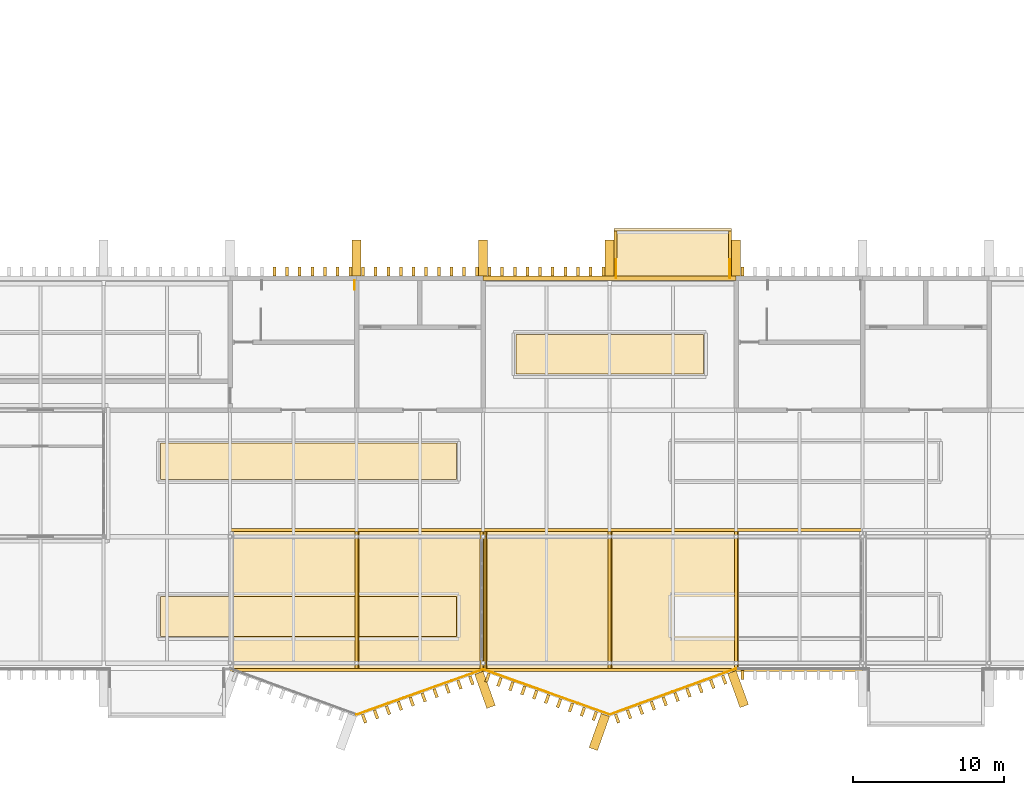
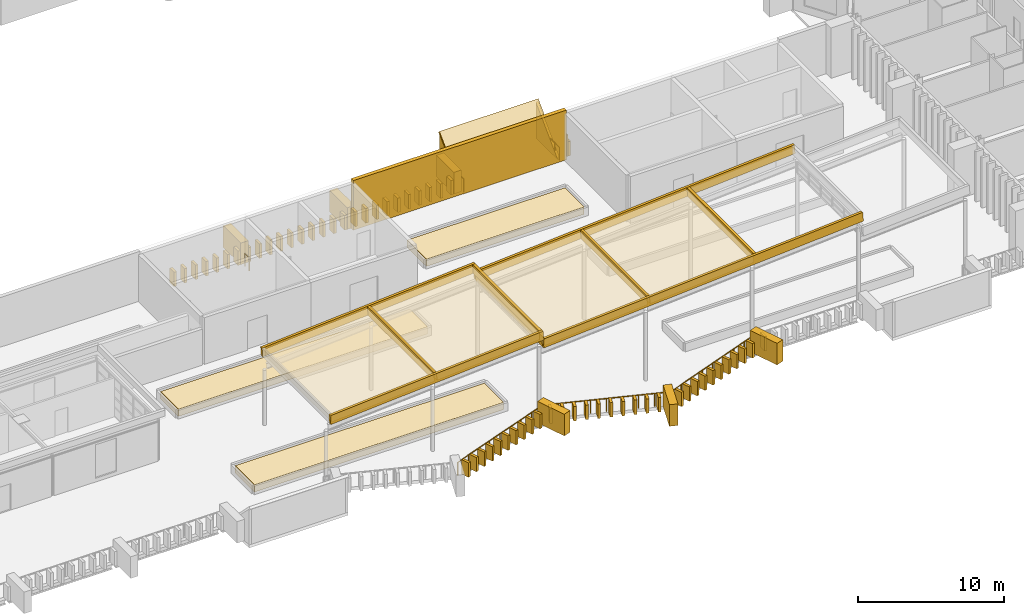
# One storey, part 47 of 51: 86 coverings, 6 railings.
"""IFC4 building model written with IfcOpenShell, lengths in metres."""

from ifc_helpers import new_model, si_unit, direction, frame, origin, origin_2d, place, context, subcontext, project, spatial, polyline, rectangle, circle, outline, extrude, material, layer, layer_set, type_object, element, save


model = new_model("IFC4")

# Units and contexts
model_context = context("Model", 3, precision=1e-05, world=origin(), true_north=direction((0.0, 1.0)))
body_context = subcontext(model_context, "Body", "Model", "MODEL_VIEW")
ifc_project = project(units=[si_unit("LENGTHUNIT", "METRE"), si_unit("AREAUNIT", "SQUARE_METRE"), si_unit("VOLUMEUNIT", "CUBIC_METRE"), si_unit("PLANEANGLEUNIT", "RADIAN"), si_unit("MASSUNIT", "GRAM", prefix="KILO")], contexts=[model_context])

# Site, building, storey
site_placement = place(None, origin())
site = spatial("IfcSite", under=ifc_project, at=site_placement, CompositionType="ELEMENT")
building_placement = place(site_placement, origin())
building = spatial("IfcBuilding", under=site, at=building_placement, Name="Cresset Court Congress Hotel", CompositionType="ELEMENT")
storey_placement = place(building_placement, frame((0.0, 0.0, 18.60009765625)))
storey = spatial("IfcBuildingStorey", under=building, at=storey_placement, Name="L04", CompositionType="ELEMENT", Elevation=18.60009765625)

# Railings
ifc_material_1 = material(Name="Steel and laminated glass", Category="steel")
railing_type_1 = type_object("IfcRailingType", Name="Guard 1100 steel and glass", PredefinedType="GUARDRAIL", material=ifc_material_1)
railing_1_placement = place(storey_placement, frame((109.050048828125, 24.800048828125, 0.0)))
element("IfcRailing", 1, at=railing_1_placement, inside=storey, type_object=railing_type_1, Name="Roof stair well guard 7", PredefinedType="GUARDRAIL", context=body_context, shape_type="SweptSolid", body=[
    extrude(circle(Radius=0.02392578125, at=origin_2d()), frame((0.0, 0.0, 1.076171875), z_axis=(0.0, 1.0, 0.0), x_axis=(-1.0, 0.0, 0.0)), (0.0, 0.0, 1.0), 0.599853515625),
    extrude(circle(Radius=0.02099609375, at=origin_2d()), origin(), (0.0, 0.0, 1.0), 1.052001953125),
    extrude(circle(Radius=0.02099609375, at=origin_2d()), frame((0.0, 0.599853515625, 0.0)), (0.0, 0.0, 1.0), 1.052001953125),
])
ifc_material_2 = material(Name="Steel and laminated glass", Category="steel")
railing_type_2 = type_object("IfcRailingType", Name="Guard 1100 steel and glass external", PredefinedType="GUARDRAIL", material=ifc_material_2)
railing_2_placement = place(storey_placement, frame((134.37890625, -0.3798828125, 0.0)))
element("IfcRailing", 2, at=railing_2_placement, inside=storey, type_object=railing_type_2, Name="Roof garden guard 3", PredefinedType="GUARDRAIL", context=body_context, shape_type="SweptSolid", body=[
    extrude(circle(Radius=0.02392578125, at=origin_2d()), frame((0.0, 0.0, 1.076171875), z_axis=(-0.939954842809, -0.341298833107, 0.0), x_axis=(0.341298833107, -0.939954842809, 0.0)), (0.0, 0.0, 1.0), 8.914306640625),
    extrude(circle(Radius=0.02099609375, at=origin_2d()), origin(), (0.0, 0.0, 1.0), 1.052001953125),
    extrude(circle(Radius=0.02099609375, at=origin_2d()), frame((-1.04736328125, -0.38037109375, 0.0)), (0.0, 0.0, 1.0), 1.052001953125),
    extrude(circle(Radius=0.02099609375, at=origin_2d()), frame((-2.0947265625, -0.7607421875, 0.0)), (0.0, 0.0, 1.0), 1.052001953125),
    extrude(circle(Radius=0.02099609375, at=origin_2d()), frame((-3.14208984375, -1.140869140625, 0.0)), (0.0, 0.0, 1.0), 1.052001953125),
    extrude(circle(Radius=0.02099609375, at=origin_2d()), frame((-4.189453125, -1.521240234375, 0.0)), (0.0, 0.0, 1.0), 1.052001953125),
    extrude(circle(Radius=0.02099609375, at=origin_2d()), frame((-5.237060546875, -1.901611328125, 0.0)), (0.0, 0.0, 1.0), 1.052001953125),
    extrude(circle(Radius=0.02099609375, at=origin_2d()), frame((-6.284423828125, -2.28173828125, 0.0)), (0.0, 0.0, 1.0), 1.052001953125),
    extrude(circle(Radius=0.02099609375, at=origin_2d()), frame((-7.331787109375, -2.662109375, 0.0)), (0.0, 0.0, 1.0), 1.052001953125),
    extrude(circle(Radius=0.02099609375, at=origin_2d()), frame((-8.379150390625, -3.04248046875, 0.0)), (0.0, 0.0, 1.0), 1.052001953125),
])
railing_3_placement = place(storey_placement, frame((125.999755859375, -3.42236328125, 0.0)))
element("IfcRailing", 3, at=railing_3_placement, inside=storey, type_object=railing_type_2, Name="Roof garden guard 4", PredefinedType="GUARDRAIL", context=body_context, shape_type="SweptSolid", body=[
    extrude(circle(Radius=0.02392578125, at=origin_2d()), frame((0.0, 0.0, 1.076171875), z_axis=(-0.941746246507, 0.336324258998, 0.0), x_axis=(-0.336324258998, -0.941746246507, 0.0)), (0.0, 0.0, 1.0), 8.919189453125),
    extrude(circle(Radius=0.02099609375, at=origin_2d()), origin(), (0.0, 0.0, 1.0), 1.052001953125),
    extrude(circle(Radius=0.02099609375, at=origin_2d()), frame((-1.050048828125, 0.375, 0.0)), (0.0, 0.0, 1.0), 1.052001953125),
    extrude(circle(Radius=0.02099609375, at=origin_2d()), frame((-2.099853515625, 0.75, 0.0)), (0.0, 0.0, 1.0), 1.052001953125),
    extrude(circle(Radius=0.02099609375, at=origin_2d()), frame((-3.14990234375, 1.125, 0.0)), (0.0, 0.0, 1.0), 1.052001953125),
    extrude(circle(Radius=0.02099609375, at=origin_2d()), frame((-4.19970703125, 1.5, 0.0)), (0.0, 0.0, 1.0), 1.052001953125),
    extrude(circle(Radius=0.02099609375, at=origin_2d()), frame((-5.249755859375, 1.874755859375, 0.0)), (0.0, 0.0, 1.0), 1.052001953125),
    extrude(circle(Radius=0.02099609375, at=origin_2d()), frame((-6.2998046875, 2.249755859375, 0.0)), (0.0, 0.0, 1.0), 1.052001953125),
    extrude(circle(Radius=0.02099609375, at=origin_2d()), frame((-7.349609375, 2.624755859375, 0.0)), (0.0, 0.0, 1.0), 1.052001953125),
    extrude(circle(Radius=0.02099609375, at=origin_2d()), frame((-8.399658203125, 2.999755859375, 0.0)), (0.0, 0.0, 1.0), 1.052001953125),
])
railing_4_placement = place(storey_placement, frame((117.60009765625, -0.422607421875, 0.0)))
element("IfcRailing", 4, at=railing_4_placement, inside=storey, type_object=railing_type_2, Name="Roof garden guard 5", PredefinedType="GUARDRAIL", context=body_context, shape_type="SweptSolid", body=[
    extrude(circle(Radius=0.02392578125, at=origin_2d()), frame((0.0, 0.0, 1.076171875), z_axis=(-0.941746246507, -0.336324258998, 0.0), x_axis=(0.336324258998, -0.941746246507, 0.0)), (0.0, 0.0, 1.0), 8.919189453125),
    extrude(circle(Radius=0.02099609375, at=origin_2d()), origin(), (0.0, 0.0, 1.0), 1.052001953125),
    extrude(circle(Radius=0.02099609375, at=origin_2d()), frame((-1.050048828125, -0.375, 0.0)), (0.0, 0.0, 1.0), 1.052001953125),
    extrude(circle(Radius=0.02099609375, at=origin_2d()), frame((-2.099853515625, -0.75, 0.0)), (0.0, 0.0, 1.0), 1.052001953125),
    extrude(circle(Radius=0.02099609375, at=origin_2d()), frame((-3.14990234375, -1.125, 0.0)), (0.0, 0.0, 1.0), 1.052001953125),
    extrude(circle(Radius=0.02099609375, at=origin_2d()), frame((-4.19970703125, -1.5, 0.0)), (0.0, 0.0, 1.0), 1.052001953125),
    extrude(circle(Radius=0.02099609375, at=origin_2d()), frame((-5.249755859375, -1.874755859375, 0.0)), (0.0, 0.0, 1.0), 1.052001953125),
    extrude(circle(Radius=0.02099609375, at=origin_2d()), frame((-6.2998046875, -2.249755859375, 0.0)), (0.0, 0.0, 1.0), 1.052001953125),
    extrude(circle(Radius=0.02099609375, at=origin_2d()), frame((-7.349609375, -2.624755859375, 0.0)), (0.0, 0.0, 1.0), 1.052001953125),
    extrude(circle(Radius=0.02099609375, at=origin_2d()), frame((-8.399658203125, -2.999755859375, 0.0)), (0.0, 0.0, 1.0), 1.052001953125),
])
for number, where, name in (
    (5, (126.419921875, 25.580078125, 0.0), "Roof garden guard 23"),
    (6, (133.97998046875, 25.580078125, 0.0), "Roof garden guard 24"),
):
    element("IfcRailing", number, at=place(storey_placement, frame(where)), inside=storey, type_object=railing_type_2, Name=name, PredefinedType="GUARDRAIL", context=body_context, shape_type="SweptSolid", body=[
        extrude(circle(Radius=0.02392578125, at=origin_2d()), frame((0.0, 0.0, 1.076171875), z_axis=(0.0, 1.0, 0.0), x_axis=(-1.0, 0.0, 0.0)), (0.0, 0.0, 1.0), 1.219970703125),
        extrude(circle(Radius=0.02099609375, at=origin_2d()), origin(), (0.0, 0.0, 1.0), 1.052001953125),
        extrude(circle(Radius=0.02099609375, at=origin_2d()), frame((0.0, 0.60986328125, 0.0)), (0.0, 0.0, 1.0), 1.052001953125),
        extrude(circle(Radius=0.02099609375, at=origin_2d()), frame((0.0, 1.219970703125, 0.0)), (0.0, 0.0, 1.0), 1.052001953125),
    ])

# Coverings
ifc_material_3 = material(Name="Concrete C50", Category="concrete")
ifc_layer_1 = layer(ifc_material_3, 0.199951171875)
ifc_layer_set_1 = layer_set([ifc_layer_1], Name="Planter edge 200 precast")
covering_type_1 = type_object("IfcCoveringType", Name="Planter edge 200 precast", PredefinedType="USERDEFINED", material=ifc_layer_set_1)
for number, where, z_axis, x_axis, name in (
    (7, (100.800048828125, -0.550048828125, 6.14990234375), (-0.069830426038, 0.0, 0.997558876257), (0.997558876257, 0.0, 0.069830426038), "Planter edge plate 4 S"),
    (8, (100.800048828125, 8.75, 6.14990234375), (-0.069830426038, 0.0, 0.997558876257), (0.997558876257, 0.0, 0.069830426038), "Planter edge plate 4 N"),
):
    element("IfcCovering", number, at=place(storey_placement, frame(where, z_axis=z_axis, x_axis=x_axis)), inside=storey, type_object=covering_type_1, Name=name, ObjectType="PLANTER EDGE", PredefinedType="USERDEFINED", context=body_context, shape_type="SweptSolid", body=[
        extrude(outline(polyline([(0.0, 0.0), (16.841160184107835, 0.0), (16.841160184107835, 0.19995117187500006), (0.0, 0.19995117187500006), (0.0, 0.0)])), origin(), (0.0, 0.0, -1.0), 0.75),
    ])
covering_1_placement = place(storey_placement, frame((109.10009765625, -0.35009765625, 6.73095703125), z_axis=(-0.069429123991, 0.0, 0.997586886813), x_axis=(0.997586886813, 0.0, 0.069429123991)))
element("IfcCovering", 9, at=covering_1_placement, inside=storey, type_object=covering_type_1, Name="Planter edge plate 4 line 2", ObjectType="PLANTER EDGE", PredefinedType="USERDEFINED", context=body_context, shape_type="SweptSolid", body=[
    extrude(outline(polyline([(0.0, 0.0), (0.2004348438397402, 0.0), (0.2004348438397402, 9.10009765625), (0.0, 9.10009765625), (0.0, 0.0)])), origin(), (0.0, 0.0, -1.0), 0.75),
])
covering_2_placement = place(storey_placement, frame((117.39990234375, -0.35009765625, 7.31201171875), z_axis=(-0.069344861726, 0.0, 0.997592747644), x_axis=(0.997592747644, 0.0, 0.069344861726)))
element("IfcCovering", 10, at=covering_2_placement, inside=storey, type_object=covering_type_1, Name="Planter edge plate 4 line 3", ObjectType="PLANTER EDGE", PredefinedType="USERDEFINED", context=body_context, shape_type="SweptSolid", body=[
    extrude(outline(polyline([(0.0, 0.0), (0.20067839604164647, 0.0), (0.20067839604164647, 9.100097656250002), (0.0, 9.100097656250002), (0.0, 0.0)])), origin(), (0.0, 0.0, -1.0), 0.75),
])
for number, where, z_axis, x_axis, name in (
    (11, (117.60009765625, -0.550048828125, 6.64990234375), (-0.069825953969, 0.0, 0.997559189298), (0.997559189298, 0.0, 0.069825953969), "Planter edge plate 5 S"),
    (12, (117.60009765625, 8.75, 6.64990234375), (-0.069825953969, 0.0, 0.997559189298), (0.997559189298, 0.0, 0.069825953969), "Planter edge plate 5 N"),
):
    element("IfcCovering", number, at=place(storey_placement, frame(where, z_axis=z_axis, x_axis=x_axis)), inside=storey, type_object=covering_type_1, Name=name, ObjectType="PLANTER EDGE", PredefinedType="USERDEFINED", context=body_context, shape_type="SweptSolid", body=[
        extrude(outline(polyline([(0.0, 0.0), (25.261609979869903, 0.0), (25.261609979869903, 0.19995117187500006), (0.0, 0.19995117187500006), (0.0, 0.0)])), origin(), (0.0, 0.0, -1.0), 0.75),
    ])
covering_3_placement = place(storey_placement, frame((117.60009765625, -0.35009765625, 6.64990234375), z_axis=(-0.069429123991, 0.0, 0.997586886813), x_axis=(0.997586886813, 0.0, 0.069429123991)))
element("IfcCovering", 13, at=covering_3_placement, inside=storey, type_object=covering_type_1, Name="Planter edge plate 5 line 1", ObjectType="PLANTER EDGE", PredefinedType="USERDEFINED", context=body_context, shape_type="SweptSolid", body=[
    extrude(outline(polyline([(0.0, 0.0), (0.2004348438397402, 0.0), (0.2004348438397402, 9.10009765625), (0.0, 9.10009765625), (0.0, 0.0)])), origin(), (0.0, 0.0, -1.0), 0.75),
])
covering_4_placement = place(storey_placement, frame((125.89990234375, -0.35009765625, 7.23095703125), z_axis=(-0.069344861726, 0.0, 0.997592747644), x_axis=(0.997592747644, 0.0, 0.069344861726)))
element("IfcCovering", 14, at=covering_4_placement, inside=storey, type_object=covering_type_1, Name="Planter edge plate 5 line 2", ObjectType="PLANTER EDGE", PredefinedType="USERDEFINED", context=body_context, shape_type="SweptSolid", body=[
    extrude(outline(polyline([(0.0, 0.0), (0.20067839604164647, 0.0), (0.20067839604164647, 9.100097656250002), (0.0, 9.100097656250002), (0.0, 0.0)])), origin(), (0.0, 0.0, -1.0), 0.75),
])
covering_5_placement = place(storey_placement, frame((134.300048828125, -0.35009765625, 7.81884765625), z_axis=(-0.070641152636, 0.0, 0.997501793259), x_axis=(0.997501793259, 0.0, 0.070641152636)))
element("IfcCovering", 15, at=covering_5_placement, inside=storey, type_object=covering_type_1, Name="Planter edge plate 5 line 3", ObjectType="PLANTER EDGE", PredefinedType="USERDEFINED", context=body_context, shape_type="SweptSolid", body=[
    extrude(outline(polyline([(0.0, 0.0), (0.2004519422684904, 0.0), (0.2004519422684904, 9.10009765625), (0.0, 9.10009765625), (0.0, 0.0)])), origin(), (0.0, 0.0, -1.0), 0.75),
])
ifc_material_4 = material(Name="Planting soil")
ifc_layer_2 = layer(ifc_material_4, 0.60009765625)
ifc_layer_set_2 = layer_set([ifc_layer_2], Name="Planter soil bed 600")
covering_type_2 = type_object("IfcCoveringType", Name="Planter soil bed 600", PredefinedType="FLOORING", material=ifc_layer_set_2)
covering_6_placement = place(storey_placement, frame((101.0, -0.35009765625, 6.013916015625), z_axis=(-0.069815364355, 0.0, 0.99755993048), x_axis=(0.99755993048, 0.0, 0.069815364355)))
element("IfcCovering", 16, at=covering_6_placement, inside=storey, type_object=covering_type_2, Name="Planting bed plate 4 bay 1", PredefinedType="FLOORING", context=body_context, shape_type="SweptSolid", body=[
    extrude(outline(polyline([(0.0, 0.0), (8.119910803102945, 0.0), (8.119910803102945, 9.10009765625), (0.0, 9.10009765625), (0.0, 0.0)])), origin(), (0.0, 0.0, -1.0), 0.60009765625),
])
for number, where, z_axis, x_axis, name in (
    (17, (109.300048828125, -0.35009765625, 6.594970703125), (-0.069817458428, 0.0, 0.997559783922), (0.997559783922, 0.0, 0.069817458428), "Planting bed plate 4 bay 2"),
    (18, (117.800048828125, -0.35009765625, 6.513916015625), (-0.069817458428, 0.0, 0.997559783922), (0.997559783922, 0.0, 0.069817458428), "Planting bed plate 5 bay 1"),
):
    element("IfcCovering", number, at=place(storey_placement, frame(where, z_axis=z_axis, x_axis=x_axis)), inside=storey, type_object=covering_type_2, Name=name, PredefinedType="FLOORING", context=body_context, shape_type="SweptSolid", body=[
        extrude(outline(polyline([(0.0, 0.0), (8.119667258215932, 0.0), (8.119667258215932, 9.10009765625), (0.0, 9.10009765625), (0.0, 0.0)])), origin(), (0.0, 0.0, -1.0), 0.60009765625),
    ])
covering_7_placement = place(storey_placement, frame((126.10009765625, -0.35009765625, 7.094970703125), z_axis=(-0.069826467666, 0.0, 0.99755915334), x_axis=(0.99755915334, 0.0, 0.069826467666)))
element("IfcCovering", 19, at=covering_7_placement, inside=storey, type_object=covering_type_2, Name="Planting bed plate 5 bay 2", PredefinedType="FLOORING", context=body_context, shape_type="SweptSolid", body=[
    extrude(outline(polyline([(0.0, 0.0), (8.220014967951176, 0.0), (8.220014967951176, 9.100097656250002), (0.0, 9.100097656250002), (0.0, 0.0)])), origin(), (0.0, 0.0, -1.0), 0.60009765625),
])
covering_8_placement = place(storey_placement, origin())
element("IfcCovering", 20, at=covering_8_placement, inside=storey, type_object=covering_type_2, Name="Planting bed 3", PredefinedType="FLOORING", context=body_context, shape_type="SweptSolid", body=[
    extrude(outline(polyline([(96.179931640625, 1.780029296875), (115.820068359375, 1.780029296875), (115.820068359375, 4.419921875), (96.179931640625, 4.419921875), (96.179931640625, 1.780029296875)])), origin(), (0.0, 0.0, 1.0), 0.599853515625),
])
covering_9_placement = place(storey_placement, origin())
element("IfcCovering", 21, at=covering_9_placement, inside=storey, type_object=covering_type_2, Name="Planting bed 7", PredefinedType="FLOORING", context=body_context, shape_type="SweptSolid", body=[
    extrude(outline(polyline([(96.179931640625, 12.179931640625), (115.820068359375, 12.179931640625), (115.820068359375, 14.6201171875), (96.179931640625, 14.6201171875), (96.179931640625, 12.179931640625)])), origin(), (0.0, 0.0, 1.0), 0.599853515625),
])
covering_10_placement = place(storey_placement, origin())
element("IfcCovering", 22, at=covering_10_placement, inside=storey, type_object=covering_type_2, Name="Planting bed 11", PredefinedType="FLOORING", context=body_context, shape_type="SweptSolid", body=[
    extrude(outline(polyline([(119.780029296875, 19.179931640625), (132.219970703125, 19.179931640625), (132.219970703125, 21.820068359375), (119.780029296875, 21.820068359375), (119.780029296875, 19.179931640625)])), origin(), (0.0, 0.0, 1.0), 0.599853515625),
])
ifc_material_5 = material(Name="Precast concrete C50", Category="concrete")
covering_type_3 = type_object("IfcCoveringType", Name="Precast stone fin 200x600 variant 1", PredefinedType="CLADDING", material=ifc_material_5)
for number, where, z_axis, x_axis, name in (
    (23, (109.696533203125, -3.691162109375, 0.0), (0.0, 0.0, 1.0), (0.94174205282, 0.336336001568, 0.0), "Fin S04-120"),
    (24, (110.487548828125, -3.40869140625, 0.0), (0.0, 0.0, 1.0), (0.94174205282, 0.336336001568, 0.0), "Fin S04-121"),
    (25, (111.278564453125, -3.126220703125, 0.0), (0.0, 0.0, 1.0), (0.94174205282, 0.336336001568, 0.0), "Fin S04-122"),
    (26, (112.069580078125, -2.84375, 0.0), (0.0, 0.0, 1.0), (0.94174205282, 0.336336001568, 0.0), "Fin S04-123"),
    (27, (112.860595703125, -2.561279296875, 0.0), (0.0, 0.0, 1.0), (0.94174205282, 0.336336001568, 0.0), "Fin S04-124"),
    (28, (113.65185546875, -2.278564453125, 0.0), (0.0, 0.0, 1.0), (0.94174205282, 0.336336001568, 0.0), "Fin S04-125"),
    (29, (114.44287109375, -1.99609375, 0.0), (0.0, 0.0, 1.0), (0.94174205282, 0.336336001568, 0.0), "Fin S04-126"),
    (30, (115.23388671875, -1.713623046875, 0.0), (0.0, 0.0, 1.0), (0.94174205282, 0.336336001568, 0.0), "Fin S04-127"),
    (31, (116.02490234375, -1.43115234375, 0.0), (0.0, 0.0, 1.0), (0.94174205282, 0.336336001568, 0.0), "Fin S04-128"),
    (32, (116.81591796875, -1.1484375, 0.0), (0.0, 0.0, 1.0), (0.94174205282, 0.336336001568, 0.0), "Fin S04-129"),
    (33, (117.89453125, -0.973876953125, 0.0), (0.0, 0.0, 1.0), (0.94174205282, -0.336336001568, 0.0), "Fin S04-130"),
    (34, (118.685791015625, -1.25634765625, 0.0), (0.0, 0.0, 1.0), (0.94174205282, -0.336336001568, 0.0), "Fin S04-131"),
    (35, (119.476806640625, -1.538818359375, 0.0), (0.0, 0.0, 1.0), (0.94174205282, -0.336336001568, 0.0), "Fin S04-132"),
    (36, (120.267822265625, -1.8212890625, 0.0), (0.0, 0.0, 1.0), (0.94174205282, -0.336336001568, 0.0), "Fin S04-133"),
    (37, (121.058837890625, -2.103759765625, 0.0), (0.0, 0.0, 1.0), (0.94174205282, -0.336336001568, 0.0), "Fin S04-134"),
    (38, (121.849853515625, -2.386474609375, 0.0), (0.0, 0.0, 1.0), (0.94174205282, -0.336336001568, 0.0), "Fin S04-135"),
    (39, (122.64111328125, -2.6689453125, 0.0), (0.0, 0.0, 1.0), (0.94174205282, -0.336336001568, 0.0), "Fin S04-136"),
    (40, (123.43212890625, -2.951416015625, 0.0), (0.0, 0.0, 1.0), (0.94174205282, -0.336336001568, 0.0), "Fin S04-137"),
    (41, (124.22314453125, -3.23388671875, 0.0), (0.0, 0.0, 1.0), (0.94174205282, -0.336336001568, 0.0), "Fin S04-138"),
    (42, (125.01416015625, -3.5166015625, 0.0), (0.0, 0.0, 1.0), (0.94174205282, -0.336336001568, 0.0), "Fin S04-139"),
    (43, (126.4970703125, -3.688720703125, 0.0), (0.0, 0.0, 1.0), (0.939956783309, 0.341293488819, 0.0), "Fin S04-140"),
    (44, (127.28662109375, -3.40185546875, 0.0), (0.0, 0.0, 1.0), (0.939956783309, 0.341293488819, 0.0), "Fin S04-141"),
    (45, (128.076416015625, -3.115234375, 0.0), (0.0, 0.0, 1.0), (0.939956783309, 0.341293488819, 0.0), "Fin S04-142"),
    (46, (128.865966796875, -2.82861328125, 0.0), (0.0, 0.0, 1.0), (0.939956783309, 0.341293488819, 0.0), "Fin S04-143"),
    (47, (129.655517578125, -2.5419921875, 0.0), (0.0, 0.0, 1.0), (0.939956783309, 0.341293488819, 0.0), "Fin S04-144"),
    (48, (130.445068359375, -2.255126953125, 0.0), (0.0, 0.0, 1.0), (0.939956783309, 0.341293488819, 0.0), "Fin S04-145"),
    (49, (131.234619140625, -1.968505859375, 0.0), (0.0, 0.0, 1.0), (0.939956783309, 0.341293488819, 0.0), "Fin S04-146"),
    (50, (132.024169921875, -1.681884765625, 0.0), (0.0, 0.0, 1.0), (0.939956783309, 0.341293488819, 0.0), "Fin S04-147"),
    (51, (132.813720703125, -1.395263671875, 0.0), (0.0, 0.0, 1.0), (0.939956783309, 0.341293488819, 0.0), "Fin S04-148"),
    (52, (133.603271484375, -1.1083984375, 0.0), (0.0, 0.0, 1.0), (0.939956783309, 0.341293488819, 0.0), "Fin S04-149"),
    (53, (134.820068359375, -0.800048828125, 0.0), (0.0, 0.0, 1.0), (1.0, 0.0, 0.0), "Fin S04-150"),
    (54, (103.739990234375, 26.0, 0.0), (0.0, 0.0, 1.0), (1.0, 0.0, 0.0), "Fin N04-113"),
    (55, (104.580078125, 26.0, 0.0), (0.0, 0.0, 1.0), (1.0, 0.0, 0.0), "Fin N04-114"),
    (56, (105.419921875, 26.0, 0.0), (0.0, 0.0, 1.0), (1.0, 0.0, 0.0), "Fin N04-115"),
    (57, (106.260009765625, 26.0, 0.0), (0.0, 0.0, 1.0), (1.0, 0.0, 0.0), "Fin N04-116"),
    (58, (107.10009765625, 26.0, 0.0), (0.0, 0.0, 1.0), (1.0, 0.0, 0.0), "Fin N04-117"),
    (59, (107.93994140625, 26.0, 0.0), (0.0, 0.0, 1.0), (1.0, 0.0, 0.0), "Fin N04-118"),
    (60, (108.780029296875, 26.0, 0.0), (0.0, 0.0, 1.0), (1.0, 0.0, 0.0), "Fin N04-119"),
    (61, (109.6201171875, 26.0, 0.0), (0.0, 0.0, 1.0), (1.0, 0.0, 0.0), "Fin N04-120"),
    (62, (110.4599609375, 26.0, 0.0), (0.0, 0.0, 1.0), (1.0, 0.0, 0.0), "Fin N04-121"),
    (63, (111.300048828125, 26.0, 0.0), (0.0, 0.0, 1.0), (1.0, 0.0, 0.0), "Fin N04-122"),
    (64, (112.139892578125, 26.0, 0.0), (0.0, 0.0, 1.0), (1.0, 0.0, 0.0), "Fin N04-123"),
    (65, (112.97998046875, 26.0, 0.0), (0.0, 0.0, 1.0), (1.0, 0.0, 0.0), "Fin N04-124"),
    (66, (113.820068359375, 26.0, 0.0), (0.0, 0.0, 1.0), (1.0, 0.0, 0.0), "Fin N04-125"),
    (67, (114.659912109375, 26.0, 0.0), (0.0, 0.0, 1.0), (1.0, 0.0, 0.0), "Fin N04-126"),
    (68, (115.5, 26.0, 0.0), (0.0, 0.0, 1.0), (1.0, 0.0, 0.0), "Fin N04-127"),
    (69, (116.340087890625, 26.0, 0.0), (0.0, 0.0, 1.0), (1.0, 0.0, 0.0), "Fin N04-128"),
    (70, (117.179931640625, 26.0, 0.0), (0.0, 0.0, 1.0), (1.0, 0.0, 0.0), "Fin N04-129"),
    (71, (118.02001953125, 26.0, 0.0), (0.0, 0.0, 1.0), (1.0, 0.0, 0.0), "Fin N04-130"),
    (72, (118.860107421875, 26.0, 0.0), (0.0, 0.0, 1.0), (1.0, 0.0, 0.0), "Fin N04-131"),
    (73, (119.699951171875, 26.0, 0.0), (0.0, 0.0, 1.0), (1.0, 0.0, 0.0), "Fin N04-132"),
    (74, (120.5400390625, 26.0, 0.0), (0.0, 0.0, 1.0), (1.0, 0.0, 0.0), "Fin N04-133"),
    (75, (121.3798828125, 26.0, 0.0), (0.0, 0.0, 1.0), (1.0, 0.0, 0.0), "Fin N04-134"),
    (76, (122.219970703125, 26.0, 0.0), (0.0, 0.0, 1.0), (1.0, 0.0, 0.0), "Fin N04-135"),
    (77, (123.06005859375, 26.0, 0.0), (0.0, 0.0, 1.0), (1.0, 0.0, 0.0), "Fin N04-136"),
    (78, (123.89990234375, 26.0, 0.0), (0.0, 0.0, 1.0), (1.0, 0.0, 0.0), "Fin N04-137"),
    (79, (124.739990234375, 26.0, 0.0), (0.0, 0.0, 1.0), (1.0, 0.0, 0.0), "Fin N04-138"),
    (80, (125.580078125, 26.0, 0.0), (0.0, 0.0, 1.0), (1.0, 0.0, 0.0), "Fin N04-139"),
    (81, (134.820068359375, 26.0, 0.0), (0.0, 0.0, 1.0), (1.0, 0.0, 0.0), "Fin N04-150"),
):
    element("IfcCovering", number, at=place(storey_placement, frame(where, z_axis=z_axis, x_axis=x_axis)), inside=storey, type_object=covering_type_3, Name=name, PredefinedType="CLADDING", context=body_context, shape_type="SweptSolid", body=[
        extrude(rectangle(XDim=0.199951171875, YDim=0.60009765625, at=origin_2d()), origin(), (0.0, 0.0, 1.0), 1.199951171875),
    ])
ifc_material_6 = material(Name="Precast concrete C50", Category="concrete")
ifc_layer_3 = layer(ifc_material_6, 0.199951171875)
ifc_layer_set_3 = layer_set([ifc_layer_3], Name="Precast stone hood cheek 200")
covering_type_4 = type_object("IfcCoveringType", Name="Precast stone hood cheek 200", PredefinedType="CLADDING", material=ifc_layer_set_3)
for number, where, z_axis, x_axis, name in (
    (82, (126.5, 25.699951171875, 0.0), (1.0, 0.0, 0.0), (0.0, 1.0, 0.0), "Hood cheek N14a"),
    (83, (134.10009765625, 25.699951171875, 0.0), (1.0, 0.0, 0.0), (0.0, 1.0, 0.0), "Hood cheek N14b"),
):
    element("IfcCovering", number, at=place(storey_placement, frame(where, z_axis=z_axis, x_axis=x_axis)), inside=storey, type_object=covering_type_4, Name=name, PredefinedType="CLADDING", context=body_context, shape_type="SweptSolid", body=[
        extrude(outline(polyline([(0.0, 0.0), (3.0, 0.0), (3.0, 3.0), (0.0, 0.0)])), origin(), (0.0, 0.0, -1.0), 0.199951171875),
    ])
ifc_material_7 = material(Name="Precast concrete C50", Category="concrete")
covering_type_5 = type_object("IfcCoveringType", Name="Precast stone pier 600x2400", PredefinedType="CLADDING", material=ifc_material_7)
for number, where, z_axis, x_axis, name in (
    (84, (117.72119140625, -1.781005859375, 0.0), (0.0, 0.0, 1.0), (0.94174205282, 0.336336001568, 0.0), "Pier S04-13"),
    (85, (125.31396484375, -4.5791015625, 0.0), (0.0, 0.0, 1.0), (0.94174205282, -0.336336001568, 0.0), "Pier S04-14"),
    (86, (134.527587890625, -1.730224609375, 0.0), (0.0, 0.0, 1.0), (0.939956783309, 0.341293488819, 0.0), "Pier S04-15"),
    (87, (109.199951171875, 26.89990234375, 0.0), (0.0, 0.0, 1.0), (1.0, 0.0, 0.0), "Pier N04-12"),
    (88, (117.60009765625, 26.89990234375, 0.0), (0.0, 0.0, 1.0), (1.0, 0.0, 0.0), "Pier N04-13"),
    (89, (126.0, 26.89990234375, 0.0), (0.0, 0.0, 1.0), (1.0, 0.0, 0.0), "Pier N04-14"),
    (90, (134.39990234375, 26.89990234375, 0.0), (0.0, 0.0, 1.0), (1.0, 0.0, 0.0), "Pier N04-15"),
):
    element("IfcCovering", number, at=place(storey_placement, frame(where, z_axis=z_axis, x_axis=x_axis)), inside=storey, type_object=covering_type_5, Name=name, PredefinedType="CLADDING", context=body_context, shape_type="SweptSolid", body=[
        extrude(rectangle(XDim=0.60009765625, YDim=2.39990234375, at=origin_2d()), origin(), (0.0, 0.0, 1.0), 1.800048828125),
    ])
ifc_material_8 = material(Name="Concrete C50", Category="concrete")
ifc_layer_4 = layer(ifc_material_8, 0.300048828125)
ifc_layer_set_4 = layer_set([ifc_layer_4], Name="Precast stone roof screen 300")
covering_type_6 = type_object("IfcCoveringType", Name="Precast stone roof screen 300", PredefinedType="CLADDING", material=ifc_layer_set_4)
covering_11_placement = place(storey_placement, frame((126.0, 25.550048828125, 0.0), z_axis=(0.0, 0.0, 1.0), x_axis=(1.0, 0.0, 0.0)))
element("IfcCovering", 91, at=covering_11_placement, inside=storey, type_object=covering_type_6, Name="Roof screen 5", PredefinedType="CLADDING", context=body_context, shape_type="SweptSolid", body=[
    extrude(rectangle(XDim=16.800048828125, YDim=0.300048828125, at=origin_2d()), origin(), (0.0, 0.0, 1.0), 4.139892578125),
])
ifc_material_9 = material(Name="Titanium-zinc standing seam roof panel")
ifc_layer_5 = layer(ifc_material_9, 0.199951171875)
ifc_layer_set_5 = layer_set([ifc_layer_5], Name="Zinc hood roof plate 200")
covering_type_7 = type_object("IfcCoveringType", Name="Zinc hood roof plate 200", PredefinedType="CLADDING", material=ifc_layer_set_5)
covering_12_placement = place(storey_placement, frame((126.300048828125, 25.699951171875, 0.199951171875), z_axis=(0.0, -0.707106781187, 0.707106781187), x_axis=(1.0, 0.0, 0.0)))
element("IfcCovering", 92, at=covering_12_placement, inside=storey, type_object=covering_type_7, Name="Hood roof N14", PredefinedType="CLADDING", context=body_context, shape_type="SweptSolid", body=[
    extrude(outline(polyline([(0.0, 0.0), (7.800048828125, 0.0), (7.800048828125, 4.242640687119286), (0.0, 4.242640687119286), (0.0, 0.0)])), origin(), (0.0, 0.0, -1.0), 0.199951171875),
])

save(model, "model.ifc")
